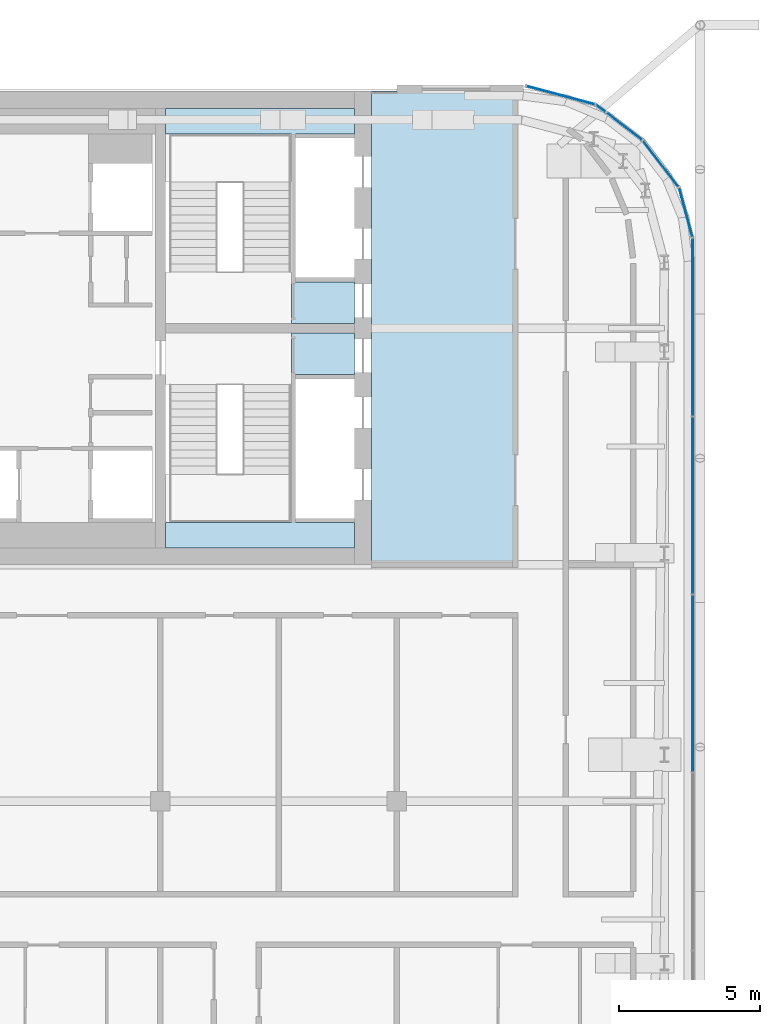
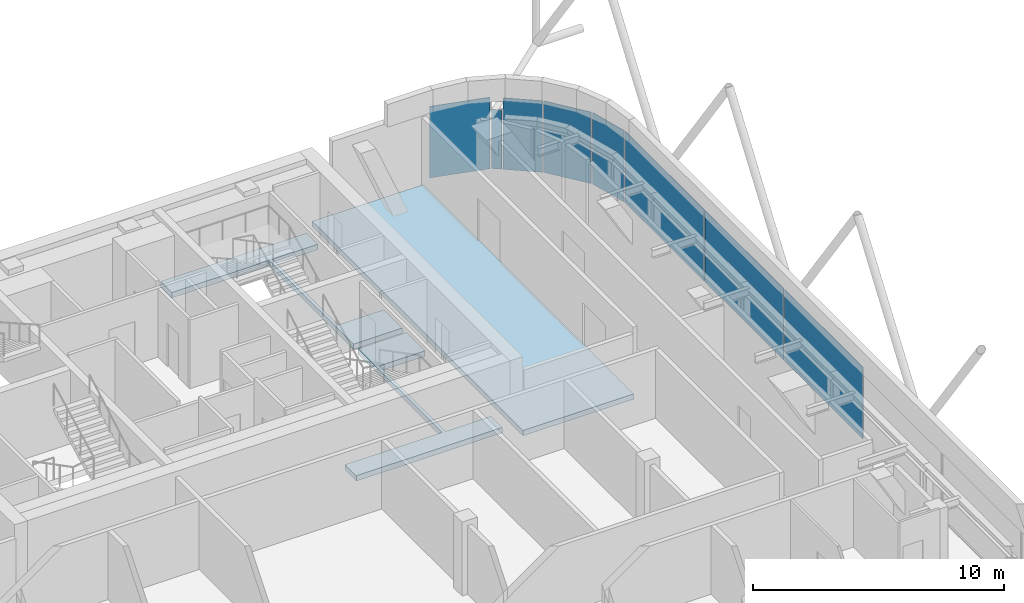
# One storey, part 18 of 25: 8 plates, 3 slabs, 6 elements without a shape of their own.
"""IFC4 building model written with IfcOpenShell, lengths in metres."""

from ifc_helpers import new_model, si_unit, direction, frame, origin, origin_2d, place, context, subcontext, project, spatial, polyline, rectangle, outline, extrude, material, layer, layer_set, type_object, element, aggregate, save


model = new_model("IFC4")

# Units and contexts
model_context = context("Model", 3, precision=1e-05, world=origin(), true_north=direction((0.0, 1.0)))
body_context = subcontext(model_context, "Body", "Model", "MODEL_VIEW")
ifc_project = project(units=[si_unit("LENGTHUNIT", "METRE"), si_unit("AREAUNIT", "SQUARE_METRE"), si_unit("VOLUMEUNIT", "CUBIC_METRE"), si_unit("PLANEANGLEUNIT", "RADIAN"), si_unit("MASSUNIT", "GRAM", prefix="KILO")], contexts=[model_context])

# Site, building, storey
site_placement = place(None, origin())
site = spatial("IfcSite", under=ifc_project, at=site_placement, CompositionType="ELEMENT")
building_placement = place(site_placement, origin())
building = spatial("IfcBuilding", under=site, at=building_placement, Name="Marenta Gate Hotel Tower", CompositionType="ELEMENT")
storey_placement = place(building_placement, frame((0.0, 0.0, 277.699951171875)))
storey = spatial("IfcBuildingStorey", under=building, at=storey_placement, Name="L64", CompositionType="ELEMENT", Elevation=277.699951171875)

# Slabs
ifc_material_1 = material(Name="Concrete C40", Category="concrete")
ifc_layer_1 = layer(ifc_material_1, 0.260009765625)
ifc_layer_set_1 = layer_set([ifc_layer_1], Name="Concrete C40")
slab_type = type_object("IfcSlabType", Name="Core floor slab 260", PredefinedType="FLOOR", material=ifc_layer_set_1)
slab_1_placement = place(storey_placement, frame((0.0, 0.0, -0.260009765625)))
element("IfcSlab", 1, at=slab_1_placement, inside=storey, type_object=slab_type, Name="L64-CF-1", PredefinedType="FLOOR", context=body_context, shape_type="SweptSolid", body=[
    extrude(outline(polyline([(11.699951171875, 0.0), (11.699951171875, 16.800048828125), (16.800048828125, 16.800048828125), (16.800048828125, 0.0), (11.699951171875, 0.0)])), origin(), (0.0, 0.0, 1.0), 0.260009765625),
])
slab_2_placement = place(storey_placement, frame((0.0, 0.0, -0.260009765625)))
element("IfcSlab", 2, at=slab_2_placement, inside=storey, type_object=slab_type, Name="L64-CF-2", PredefinedType="FLOOR", context=body_context, shape_type="SweptSolid", body=[
    extrude(outline(polyline([(8.85009765625, 1.5), (8.85009765625, 6.39990234375), (8.85009765625, 8.10009765625), (8.85009765625, 8.22509765625), (11.10009765625, 8.22509765625), (11.10009765625, 6.75), (9.0, 6.75), (9.0, 6.60009765625), (9.0, 4.199951171875), (9.0, 4.050048828125), (9.0, 1.64990234375), (9.0, 1.5), (11.10009765625, 1.5), (11.10009765625, 0.60009765625), (4.375, 0.60009765625), (4.375, 1.5), (8.85009765625, 1.5)])), origin(), (0.0, 0.0, 1.0), 0.260009765625),
])
slab_3_placement = place(storey_placement, frame((0.0, 0.0, -0.260009765625)))
element("IfcSlab", 3, at=slab_3_placement, inside=storey, type_object=slab_type, Name="L64-CF-3", PredefinedType="FLOOR", context=body_context, shape_type="SweptSolid", body=[
    extrude(outline(polyline([(8.85009765625, 15.300048828125), (4.375, 15.300048828125), (4.375, 16.199951171875), (11.10009765625, 16.199951171875), (11.10009765625, 15.300048828125), (9.0, 15.300048828125), (9.0, 15.14990234375), (9.0, 12.75), (9.0, 12.60009765625), (9.0, 10.199951171875), (9.0, 10.050048828125), (11.10009765625, 10.050048828125), (11.10009765625, 8.574951171875), (8.85009765625, 8.574951171875), (8.85009765625, 8.699951171875), (8.85009765625, 10.39990234375), (8.85009765625, 15.300048828125)])), origin(), (0.0, 0.0, 1.0), 0.260009765625),
])

# Curtain wall, plates
ifc_material_2 = material(Name="Tinted insulated glass in bronze anodised frame", Category="glass")
ifc_layer_2 = layer(ifc_material_2, 0.1201171875)
ifc_layer_set_2 = layer_set([ifc_layer_2], Name="Tinted insulated glass in bronze anodised frame")
curtain_wall_type = type_object("IfcCurtainWallType", Name="Tower unitised curtain wall CW1", PredefinedType="NOTDEFINED", material=ifc_layer_set_2)
curtain_wall_1_placement = place(storey_placement, origin())
curtain_wall_1 = element("IfcCurtainWall", 4, at=curtain_wall_1_placement, inside=storey, type_object=curtain_wall_type, Name="CW1 run G20", PredefinedType="NOTDEFINED")
ifc_material_3 = material(Name="Tinted insulated glass", Category="glass")
ifc_layer_3 = layer(ifc_material_3, 0.028076171875)
ifc_layer_set_3 = layer_set([ifc_layer_3], Name="Tinted insulated glass")
plate_type = type_object("IfcPlateType", Name="Glass panel CW1 28 mm tinted insulated unit", PredefinedType="CURTAIN_PANEL", material=ifc_layer_set_3)
plate_1_placement = place(storey_placement, frame((23.114013671875, -4.214599609375, 0.06005859375), z_axis=(0.0, 0.0, 1.0), x_axis=(0.0, 1.0, 0.0)))
plate_1 = element("IfcPlate", 5, at=plate_1_placement, type_object=plate_type, Name="CW1 panel 4.1", PredefinedType="CURTAIN_PANEL", context=body_context, shape_type="SweptSolid", body=[
    extrude(rectangle(XDim=6.2626953125, YDim=0.028076171875, at=origin_2d()), origin(), (0.0, 0.0, 1.0), 3.47998046875),
])
plate_2_placement = place(storey_placement, frame((23.114013671875, 2.10791015625, 0.06005859375), z_axis=(0.0, 0.0, 1.0), x_axis=(0.0, 1.0, 0.0)))
plate_2 = element("IfcPlate", 6, at=plate_2_placement, type_object=plate_type, Name="CW1 panel 5.1", PredefinedType="CURTAIN_PANEL", context=body_context, shape_type="SweptSolid", body=[
    extrude(rectangle(XDim=6.2626953125, YDim=0.028076171875, at=origin_2d()), origin(), (0.0, 0.0, 1.0), 3.47998046875),
])
plate_3_placement = place(storey_placement, frame((23.114013671875, 8.445556640625, 0.06005859375), z_axis=(0.0, 0.0, 1.0), x_axis=(0.0, 1.0, 0.0)))
plate_3 = element("IfcPlate", 7, at=plate_3_placement, type_object=plate_type, Name="CW1 panel 6.1", PredefinedType="CURTAIN_PANEL", context=body_context, shape_type="SweptSolid", body=[
    extrude(rectangle(XDim=6.29248046875, YDim=0.028076171875, at=origin_2d()), origin(), (0.0, 0.0, 1.0), 3.47998046875),
])
aggregate(curtain_wall_1, [plate_1, plate_2, plate_3])

# Curtain wall, plate
curtain_wall_2_placement = place(storey_placement, origin())
curtain_wall_2 = element("IfcCurtainWall", 8, at=curtain_wall_2_placement, inside=storey, type_object=curtain_wall_type, Name="CW1 run G21", PredefinedType="NOTDEFINED")
plate_4_placement = place(storey_placement, frame((22.8662109375, 12.51611328125, 0.06005859375), z_axis=(0.0, 0.0, 1.0), x_axis=(-0.258824166754, 0.965924453932, 0.0)))
plate_4 = element("IfcPlate", 9, at=plate_4_placement, type_object=plate_type, Name="CW1 panel 1.1", PredefinedType="CURTAIN_PANEL", context=body_context, shape_type="SweptSolid", body=[
    extrude(rectangle(XDim=1.793701171875, YDim=0.028076171875, at=origin_2d()), origin(), (0.0, 0.0, 1.0), 3.47998046875),
])
aggregate(curtain_wall_2, [plate_4])

curtain_wall_3_placement = place(storey_placement, origin())
curtain_wall_3 = element("IfcCurtainWall", 10, at=curtain_wall_3_placement, inside=storey, type_object=curtain_wall_type, Name="CW1 run G22", PredefinedType="NOTDEFINED")
plate_5_placement = place(storey_placement, frame((21.97509765625, 14.2412109375, 0.06005859375), z_axis=(0.0, 0.0, 1.0), x_axis=(-0.608787499222, 0.793333335233, 0.0)))
plate_5 = element("IfcPlate", 11, at=plate_5_placement, type_object=plate_type, Name="CW1 panel 1.1", PredefinedType="CURTAIN_PANEL", context=body_context, shape_type="SweptSolid", body=[
    extrude(rectangle(XDim=2.045166015625, YDim=0.028076171875, at=origin_2d()), origin(), (0.0, 0.0, 1.0), 3.47998046875),
])
aggregate(curtain_wall_3, [plate_5])

curtain_wall_4_placement = place(storey_placement, origin())
curtain_wall_4 = element("IfcCurtainWall", 12, at=curtain_wall_4_placement, inside=storey, type_object=curtain_wall_type, Name="CW1 run G23", PredefinedType="NOTDEFINED")
plate_6_placement = place(storey_placement, frame((20.681396484375, 15.567626953125, 0.06005859375), z_axis=(0.0, 0.0, 1.0), x_axis=(-0.793304508831, 0.608825062123, 0.0)))
plate_6 = element("IfcPlate", 13, at=plate_6_placement, type_object=plate_type, Name="CW1 panel 1.1", PredefinedType="CURTAIN_PANEL", context=body_context, shape_type="SweptSolid", body=[
    extrude(rectangle(XDim=1.572265625, YDim=0.028076171875, at=origin_2d()), origin(), (0.0, 0.0, 1.0), 3.47998046875),
])
aggregate(curtain_wall_4, [plate_6])

curtain_wall_5_placement = place(storey_placement, origin())
curtain_wall_5 = element("IfcCurtainWall", 14, at=curtain_wall_5_placement, inside=storey, type_object=curtain_wall_type, Name="CW1 run G24", PredefinedType="NOTDEFINED")
plate_7_placement = place(storey_placement, frame((19.846435546875, 16.20849609375, 0.06005859375), z_axis=(0.0, 0.0, 1.0), x_axis=(-0.793449958997, 0.608635492366, 0.0)))
plate_7 = element("IfcPlate", 15, at=plate_7_placement, type_object=plate_type, Name="CW1 panel 1.1", PredefinedType="CURTAIN_PANEL", context=body_context, shape_type="SweptSolid", body=[
    extrude(rectangle(XDim=0.4130859375, YDim=0.028076171875, at=origin_2d()), origin(), (0.0, 0.0, 1.0), 2.880615234375),
])
aggregate(curtain_wall_5, [plate_7])

curtain_wall_6_placement = place(storey_placement, origin())
curtain_wall_6 = element("IfcCurtainWall", 16, at=curtain_wall_6_placement, inside=storey, type_object=curtain_wall_type, Name="CW1 run G25", PredefinedType="NOTDEFINED")
plate_8_placement = place(storey_placement, frame((18.41943359375, 16.672607421875, 0.06005859375), z_axis=(0.0, 0.0, 1.0), x_axis=(-0.96592961764, 0.258804895175, 0.0)))
plate_8 = element("IfcPlate", 17, at=plate_8_placement, type_object=plate_type, Name="CW1 panel 1.1", PredefinedType="CURTAIN_PANEL", context=body_context, shape_type="SweptSolid", body=[
    extrude(rectangle(XDim=2.4951171875, YDim=0.028076171875, at=origin_2d()), origin(), (0.0, 0.0, 1.0), 3.47998046875),
])
aggregate(curtain_wall_6, [plate_8])

save(model, "model.ifc")
